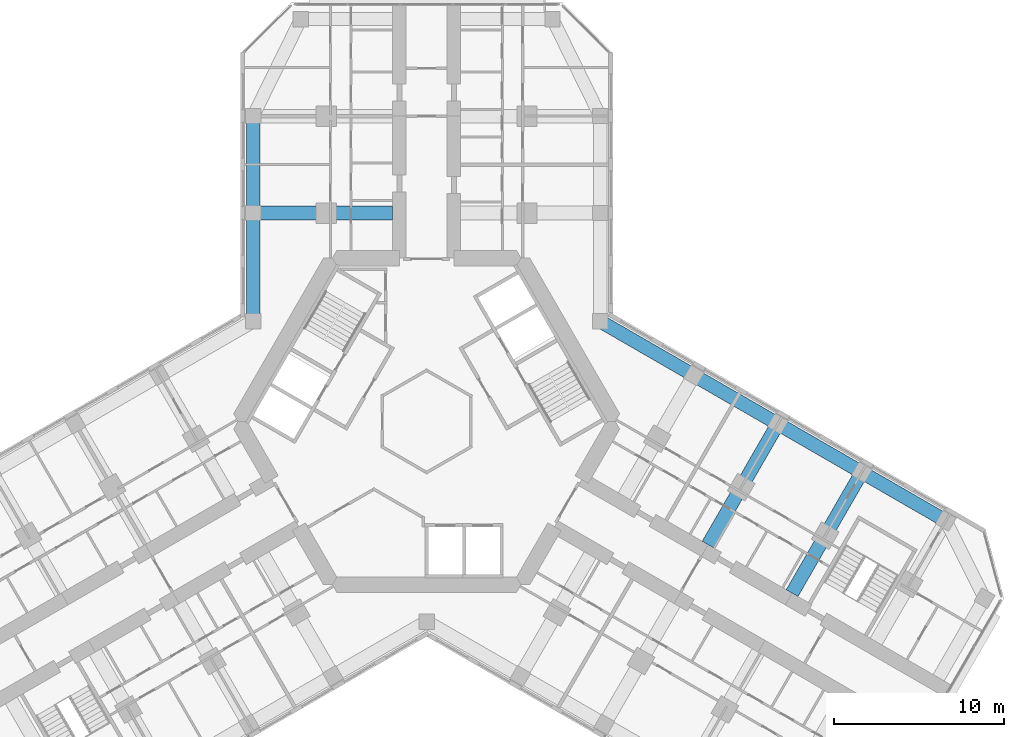
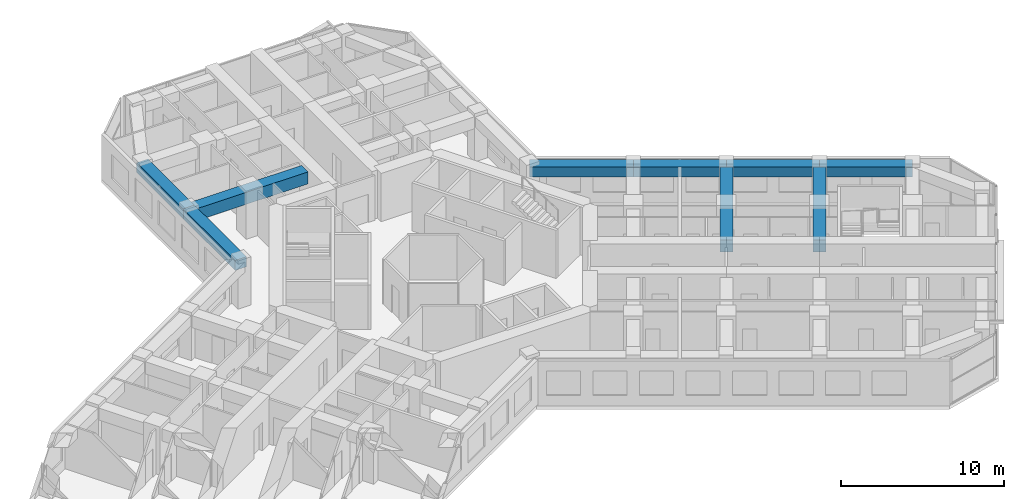
# One storey, part 6 of 19: 9 beams.
"""IFC4 building model written with IfcOpenShell, lengths in metres."""

from ifc_helpers import new_model, si_unit, direction, frame, origin, origin_2d, place, context, subcontext, project, spatial, rectangle, extrude, material, material_profile, profile_set, type_object, element, save


model = new_model("IFC4")

# Units and contexts
model_context = context("Model", 3, precision=1e-05, world=origin(), true_north=direction((0.0, 1.0)))
body_context = subcontext(model_context, "Body", "Model", "MODEL_VIEW")
ifc_project = project(units=[si_unit("LENGTHUNIT", "METRE"), si_unit("AREAUNIT", "SQUARE_METRE"), si_unit("VOLUMEUNIT", "CUBIC_METRE"), si_unit("PLANEANGLEUNIT", "RADIAN"), si_unit("MASSUNIT", "GRAM", prefix="KILO")], contexts=[model_context])

# Site, building, storey
site_placement = place(None, origin())
site = spatial("IfcSite", under=ifc_project, at=site_placement, CompositionType="ELEMENT")
building_placement = place(site_placement, origin())
building = spatial("IfcBuilding", under=site, at=building_placement, Name="Kosmar Iwan School Tower", CompositionType="ELEMENT")
storey_placement = place(building_placement, frame((0.0, 0.0, 149.0)))
storey = spatial("IfcBuildingStorey", under=building, at=storey_placement, Name="L37", CompositionType="ELEMENT", Elevation=149.0)

# Beams
ifc_material_1 = material(Name="Concrete C50/60", Category="concrete")
ifc_material_profile_1 = material_profile(ifc_material_1, rectangle(XDim=0.800048828125, YDim=0.75, at=origin_2d()), Name="RC 800x750")
ifc_profile_set_1 = profile_set([ifc_material_profile_1], Name="Concrete C50/60")
beam_type_1 = type_object("IfcBeamType", Name="RC edge beam 800x750", PredefinedType="BEAM", material=ifc_profile_set_1)
beam_1_placement = place(storey_placement, frame((-10.199951171875, 5.888916015625, 2.97509765625), z_axis=(0.0, 1.0, 0.0), x_axis=(-1.0, 0.0, 0.0)))
element("IfcBeam", 1, at=beam_1_placement, inside=storey, type_object=beam_type_1, Name="Edge beam AL1", PredefinedType="BEAM", context=body_context, shape_type="SweptSolid", body=[
    extrude(rectangle(XDim=0.800048828125, YDim=0.75, at=origin_2d()), origin(), (0.0, 0.0, 1.0), 6.361083984375),
])
beam_2_placement = place(storey_placement, frame((-10.199951171875, 12.25, 2.97509765625), z_axis=(0.0, 1.0, 0.0), x_axis=(-1.0, 0.0, 0.0)))
element("IfcBeam", 2, at=beam_2_placement, inside=storey, type_object=beam_type_1, Name="Edge beam AL2", PredefinedType="BEAM", context=body_context, shape_type="SweptSolid", body=[
    extrude(rectangle(XDim=0.800048828125, YDim=0.75, at=origin_2d()), origin(), (0.0, 0.0, 1.0), 5.699951171875),
])
beam_3_placement = place(storey_placement, frame((10.199951171875, 5.888916015625, 2.97509765625), z_axis=(0.866030912664, -0.49999045822, 0.0), x_axis=(0.49999045822, 0.866030912664, 0.0)))
element("IfcBeam", 3, at=beam_3_placement, inside=storey, type_object=beam_type_1, Name="Edge beam CL1", PredefinedType="BEAM", context=body_context, shape_type="SweptSolid", body=[
    extrude(rectangle(XDim=0.800048828125, YDim=0.75, at=origin_2d()), origin(), (0.0, 0.0, 1.0), 6.36083984375),
])
beam_4_placement = place(storey_placement, frame((15.708740234375, 2.70849609375, 2.97509765625), z_axis=(0.866025820012, -0.499999279071, 0.0), x_axis=(0.499999279071, 0.866025820012, 0.0)))
element("IfcBeam", 4, at=beam_4_placement, inside=storey, type_object=beam_type_1, Name="Edge beam CL2", PredefinedType="BEAM", context=body_context, shape_type="SweptSolid", body=[
    extrude(rectangle(XDim=0.800048828125, YDim=0.75, at=origin_2d()), origin(), (0.0, 0.0, 1.0), 5.7001953125),
])
for number, where, z_axis, x_axis, name in (
    (5, (20.645263671875, -0.1416015625, 2.97509765625), (0.866033658841, -0.49998570155, 0.0), (0.49998570155, 0.866033658841, 0.0), "Edge beam CL3"),
    (6, (25.58154296875, -2.991455078125, 2.97509765625), (0.866015111908, -0.50001782563, 0.0), (0.50001782563, 0.866015111908, 0.0), "Edge beam CL4"),
):
    element("IfcBeam", number, at=place(storey_placement, frame(where, z_axis=z_axis, x_axis=x_axis)), inside=storey, type_object=beam_type_1, Name=name, PredefinedType="BEAM", context=body_context, shape_type="SweptSolid", body=[
        extrude(rectangle(XDim=0.800048828125, YDim=0.75, at=origin_2d()), origin(), (0.0, 0.0, 1.0), 5.699951171875),
    ])
ifc_material_2 = material(Name="Concrete C50/60", Category="concrete")
ifc_material_profile_2 = material_profile(ifc_material_2, rectangle(XDim=0.800048828125, YDim=0.89990234375, at=origin_2d()), Name="RC 800x900")
ifc_profile_set_2 = profile_set([ifc_material_profile_2], Name="Concrete C50/60")
beam_type_2 = type_object("IfcBeamType", Name="RC transverse beam 800x900", PredefinedType="BEAM", material=ifc_profile_set_2)
for number, where, z_axis, x_axis, name in (
    (7, (-10.199951171875, 12.25, 2.89990234375), (1.0, 0.0, 0.0), (0.0, 1.0, 0.0), "Transverse beam AL1"),
    (8, (20.645263671875, -0.1416015625, 2.89990234375), (-0.500013681986, -0.866017504342, 0.0), (0.866017504342, -0.500013681986, 0.0), "Transverse beam CL2"),
):
    element("IfcBeam", number, at=place(storey_placement, frame(where, z_axis=z_axis, x_axis=x_axis)), inside=storey, type_object=beam_type_2, Name=name, PredefinedType="BEAM", context=body_context, shape_type="SweptSolid", body=[
        extrude(rectangle(XDim=0.800048828125, YDim=0.89990234375, at=origin_2d()), origin(), (0.0, 0.0, 1.0), 8.199951171875),
    ])
beam_5_placement = place(storey_placement, frame((25.58154296875, -2.991455078125, 2.89990234375), z_axis=(-0.500000789788, -0.8660249478, 0.0), x_axis=(0.8660249478, -0.500000789788, 0.0)))
element("IfcBeam", 9, at=beam_5_placement, inside=storey, type_object=beam_type_2, Name="Transverse beam CL3", PredefinedType="BEAM", context=body_context, shape_type="SweptSolid", body=[
    extrude(rectangle(XDim=0.800048828125, YDim=0.89990234375, at=origin_2d()), origin(), (0.0, 0.0, 1.0), 8.2001953125),
])

save(model, "model.ifc")
